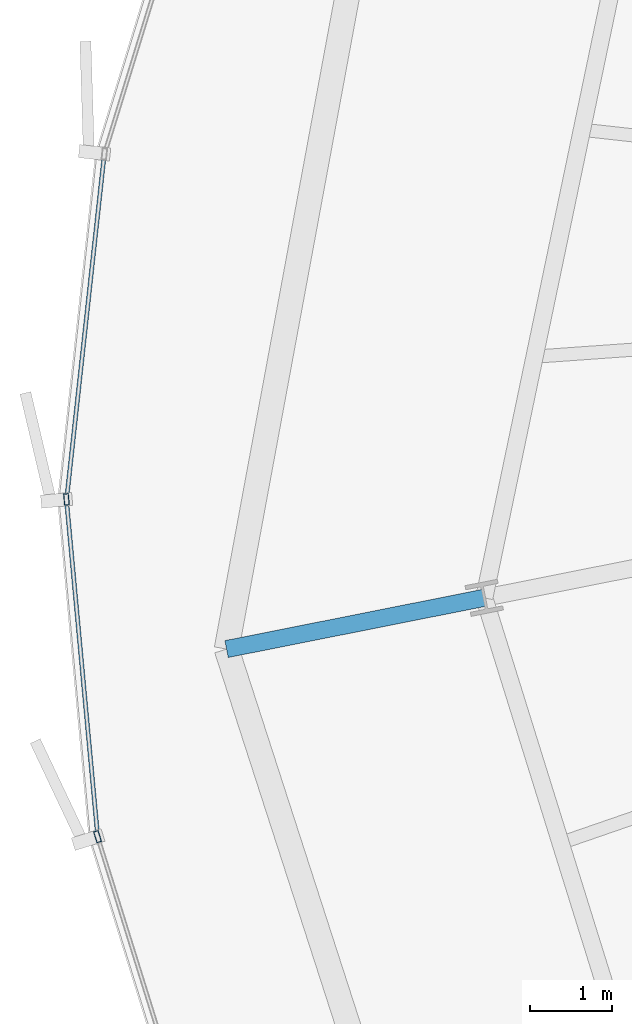
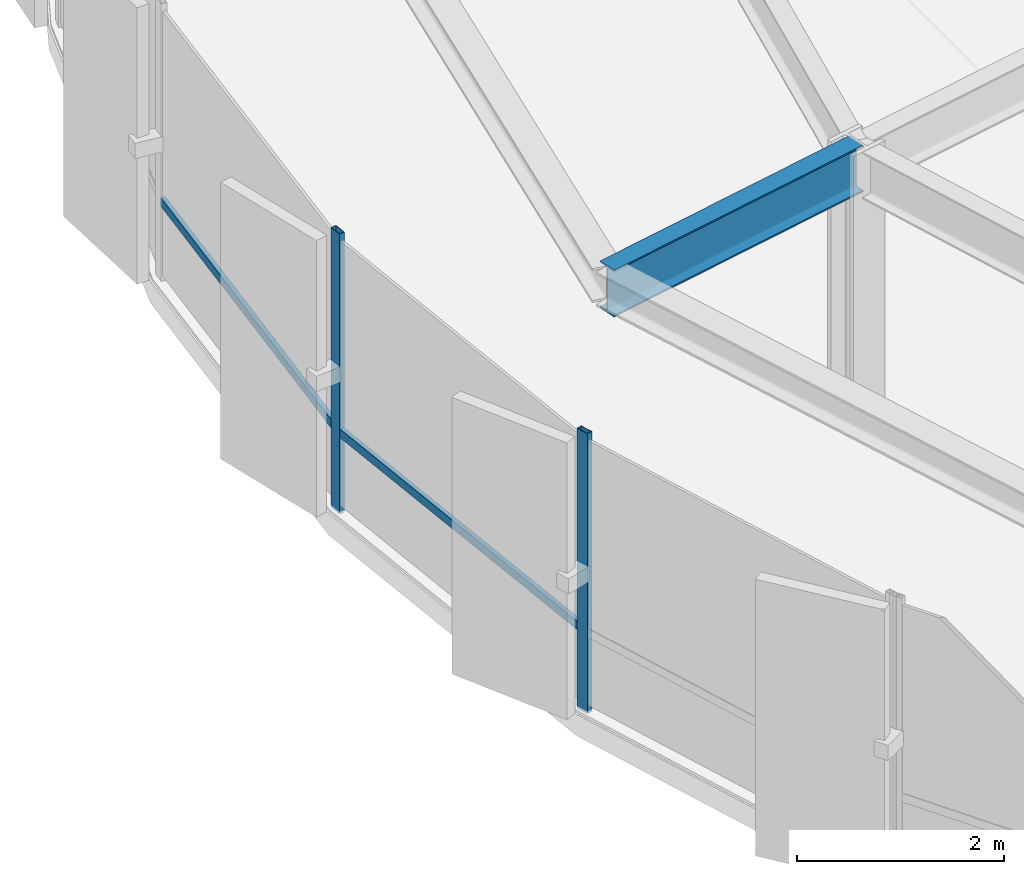
# One storey, part 7 of 34: 4 members, 1 beam, 1 element without a shape of its own.
"""IFC4 building model written with IfcOpenShell, lengths in metres."""

import ifcopenshell
import ifcopenshell.guid

model = None  # the IFC model being written
_history = None  # IfcOwnerHistory: only IFC2X3 demands one
_inside = {}  # id of a spatial element -> (the spatial element, [elements in it])
_under = {}  # id of a project, library or spatial element -> (it, [spatial elements below it])
_declared = {}  # id of a project -> (the project, [libraries it declares])
_typed = {}  # id of a type object -> (the type object, [elements of that type])
_made_of = {}  # id of a material, layer set ... -> (it, [elements and type objects made of it])


def new_model(schema):
    """Start an empty IFC model of exactly this schema.

    Asked for "IFC4X3", IfcOpenShell would pick the latest addendum, in which some entities
    have other attributes; the version numbers below select the first issue.
    IFC2X3 requires an IfcOwnerHistory on every rooted entity: one is made here for all.
    """
    global model, _history
    if schema == "IFC4X3":
        model = ifcopenshell.file(schema_version=(4, 3, 0, 0))
    else:
        model = ifcopenshell.file(schema=schema)
    _inside.clear()
    _under.clear()
    _declared.clear()
    _typed.clear()
    _made_of.clear()
    _history = None
    if model.schema == "IFC2X3":
        org = make("IfcOrganization", Name="unknown")
        user = make(
            "IfcPersonAndOrganization",
            ThePerson=make("IfcPerson", FamilyName="unknown"),
            TheOrganization=org,
        )
        app = make(
            "IfcApplication",
            ApplicationDeveloper=org,
            Version="unknown",
            ApplicationFullName="unknown",
            ApplicationIdentifier="unknown",
        )
        _history = make(
            "IfcOwnerHistory",
            OwningUser=user,
            OwningApplication=app,
            ChangeAction="ADDED",
            CreationDate=0,
        )
    return model


def make(cls, **values):
    """One entity of the class cls with the attributes given. An attribute that is None is left unset."""
    return model.create_entity(
        cls, **{name: value for name, value in values.items() if value is not None}
    )


def rooted(cls, **values):
    """An entity with a GlobalId (a new one), such as an element, a storey or a relation."""
    return make(cls, GlobalId=ifcopenshell.guid.new(), OwnerHistory=_history, **values)


def si_unit(unit_type, name, prefix=None):
    """IfcSIUnit, for example si_unit("LENGTHUNIT", "METRE", prefix="MILLI")."""
    return make("IfcSIUnit", UnitType=unit_type, Prefix=prefix, Name=name)


def assignment(units):
    """IfcUnitAssignment: the units of a project."""
    return None if units is None else make("IfcUnitAssignment", Units=units)


def point(xyz):
    """IfcCartesianPoint."""
    return None if xyz is None else make("IfcCartesianPoint", Coordinates=xyz)


def direction(xyz):
    """IfcDirection."""
    return None if xyz is None else make("IfcDirection", DirectionRatios=xyz)


def frame(location, z_axis=None, x_axis=None):
    """IfcAxis2Placement3D, a coordinate frame: its origin and axes. An axis left out is left unset."""
    return make(
        "IfcAxis2Placement3D",
        Location=point(location),
        Axis=direction(z_axis),
        RefDirection=direction(x_axis),
    )


def frame_2d(location, x_axis=None):
    """IfcAxis2Placement2D, a coordinate frame in the plane: its origin and x axis."""
    return make(
        "IfcAxis2Placement2D", Location=point(location), RefDirection=direction(x_axis)
    )


def origin():
    """The frame at (0, 0, 0) with its axes left unset."""
    return frame((0.0, 0.0, 0.0))


def origin_2d():
    """The frame at (0, 0) in the plane with its x axis left unset."""
    return frame_2d((0.0, 0.0))


def place(relative_to, where):
    """IfcLocalPlacement: puts the frame where relative to a parent placement (None: the world)."""
    return make(
        "IfcLocalPlacement", PlacementRelTo=relative_to, RelativePlacement=where
    )


def context(
    kind, dimensions, precision=None, world=None, true_north=None, identifier=None
):
    """IfcGeometricRepresentationContext, for example the 3D "Model" context."""
    return make(
        "IfcGeometricRepresentationContext",
        ContextIdentifier=identifier,
        ContextType=kind,
        CoordinateSpaceDimension=dimensions,
        Precision=precision,
        WorldCoordinateSystem=world,
        TrueNorth=true_north,
    )


def subcontext(parent, identifier, kind, view, scale=None):
    """IfcGeometricRepresentationSubContext, for example "Body" below "Model"."""
    return make(
        "IfcGeometricRepresentationSubContext",
        ContextIdentifier=identifier,
        ContextType=kind,
        ParentContext=parent,
        TargetScale=scale,
        TargetView=view,
    )


def project(units=None, contexts=None):
    """IfcProject with its units and contexts."""
    return rooted(
        "IfcProject",
        Name="project",
        RepresentationContexts=contexts,
        UnitsInContext=assignment(units),
    )


def spatial(cls, under=None, at=None, **own):
    """A site, building, storey or space (cls), placed at a placement, below another one or the project."""
    s = rooted(cls, ObjectPlacement=at, **own)
    if under is not None:
        _under.setdefault(under.id(), (under, []))[1].append(s)
    return s


def profile(cls, at=None, kind="AREA", **sizes):
    """A parametric profile (cls). Its sizes go by their IFC names, for example OverallWidth=200.0."""
    return make(cls, ProfileType=kind, Position=at, **sizes)


def hollow_rectangle(**sizes):
    """IfcRectangleHollowProfileDef."""
    return profile("IfcRectangleHollowProfileDef", **sizes)


def i_section(**sizes):
    """IfcIShapeProfileDef."""
    return profile("IfcIShapeProfileDef", **sizes)


def extrude(swept, where, along, depth):
    """IfcExtrudedAreaSolid: the profile swept, set in the frame where, extruded along a direction by depth."""
    return make(
        "IfcExtrudedAreaSolid",
        SweptArea=swept,
        Position=where,
        ExtrudedDirection=direction(along),
        Depth=depth,
    )


def shape(context_of_items, identifier, shape_type, items):
    """IfcShapeRepresentation: the items that make up one representation, for example the "Body"."""
    return make(
        "IfcShapeRepresentation",
        ContextOfItems=context_of_items,
        RepresentationIdentifier=identifier,
        RepresentationType=shape_type,
        Items=items,
    )


def source(mapping_origin, context_of_items, identifier, shape_type, items):
    """IfcRepresentationMap: a shape defined once, which mapped items show again and again."""
    return make(
        "IfcRepresentationMap",
        MappingOrigin=mapping_origin,
        MappedRepresentation=shape(context_of_items, identifier, shape_type, items),
    )


def transform(
    local_origin,
    x_axis=None,
    y_axis=None,
    z_axis=None,
    scale=None,
    scale2=None,
    scale3=None,
    uniform=True,
):
    """IfcCartesianTransformationOperator3D, or its non-uniform kind. x_axis, y_axis, z_axis: its Axis1, 2, 3."""
    if uniform:
        return make(
            "IfcCartesianTransformationOperator3D",
            Axis1=direction(x_axis),
            Axis2=direction(y_axis),
            LocalOrigin=point(local_origin),
            Scale=scale,
            Axis3=direction(z_axis),
        )
    return make(
        "IfcCartesianTransformationOperator3DnonUniform",
        Axis1=direction(x_axis),
        Axis2=direction(y_axis),
        LocalOrigin=point(local_origin),
        Scale=scale,
        Axis3=direction(z_axis),
        Scale2=scale2,
        Scale3=scale3,
    )


def mapped(mapping_source, mapping_target):
    """IfcMappedItem: shows the shape of a source again, moved by a transform."""
    return make(
        "IfcMappedItem", MappingSource=mapping_source, MappingTarget=mapping_target
    )


def material(Name=None, Category=None):
    """IfcMaterial."""
    return make("IfcMaterial", Name=Name, Category=Category)


def layer(
    of_material, thickness, ventilated=None, Name=None, Category=None, Priority=None
):
    """IfcMaterialLayer: one layer of a wall or slab, of a material (None: an air gap)."""
    return make(
        "IfcMaterialLayer",
        Material=of_material,
        LayerThickness=thickness,
        IsVentilated=ventilated,
        Name=Name,
        Category=Category,
        Priority=Priority,
    )


def layer_set(layers, Name=None):
    """IfcMaterialLayerSet."""
    return make("IfcMaterialLayerSet", MaterialLayers=layers, LayerSetName=Name)


def material_profile(
    of_material, cross_section, Name=None, Category=None, Priority=None
):
    """IfcMaterialProfile: a cross section and its material."""
    return make(
        "IfcMaterialProfile",
        Name=Name,
        Material=of_material,
        Profile=cross_section,
        Priority=Priority,
        Category=Category,
    )


def profile_set(profiles, Name=None, composite=None):
    """IfcMaterialProfileSet."""
    return make(
        "IfcMaterialProfileSet",
        Name=Name,
        MaterialProfiles=profiles,
        CompositeProfile=composite,
    )


def made_of(thing, what):
    """Note that an element or type object is made of a material, layer set ...; save() writes the relation."""
    if what is not None:
        _made_of.setdefault(what.id(), (what, []))[1].append(thing)
    return thing


def type_object(cls, material=None, **own):
    """A type object (cls), such as IfcWallType, which elements share."""
    return made_of(rooted(cls, **own), material)


def element(
    cls,
    number,
    at=None,
    inside=None,
    cuts=None,
    type_object=None,
    material=None,
    context=None,
    identifier="Body",
    shape_type=None,
    held_by="IfcProductDefinitionShape",
    body=None,
    shapes=None,
    **own,
):
    """One element of the class cls, such as IfcWall. Its Tag is "e" and its number.

    at: its placement. inside: the storey or other place that contains it. cuts: it is an
    opening in that element (IfcRelVoidsElement). A single representation is given by context,
    identifier, shape_type and body (its items); several are given by shapes. held_by: the class
    of the entity that holds the representations. save() writes the other relations.
    """
    e = rooted(cls, Tag="e%d" % number, ObjectPlacement=at, **own)
    if body is not None:
        shapes = [shape(context, identifier, shape_type, body)]
    if shapes is not None:
        e.Representation = make(held_by, Representations=shapes)
    if inside is not None:
        _inside.setdefault(inside.id(), (inside, []))[1].append(e)
    if cuts is not None:
        rooted(
            "IfcRelVoidsElement", RelatingBuildingElement=cuts, RelatedOpeningElement=e
        )
    if type_object is not None:
        _typed.setdefault(type_object.id(), (type_object, []))[1].append(e)
    return made_of(e, material)


def aggregate(whole, parts):
    """IfcRelAggregates: a whole, such as a stair, and the parts it consists of."""
    return rooted("IfcRelAggregates", RelatingObject=whole, RelatedObjects=parts)


def save(model, path):
    """Write the relations noted so far, then the file.

    IfcRelAggregates (storeys below a building ...), IfcRelContainedInSpatialStructure (elements
    in a storey), IfcRelDefinesByType, IfcRelAssociatesMaterial and IfcRelDeclares: one each for
    every whole, place, type object, material and project.
    """
    for whole, parts in _under.values():
        aggregate(whole, parts)
    for where, things in _inside.values():
        rooted(
            "IfcRelContainedInSpatialStructure",
            RelatedElements=things,
            RelatingStructure=where,
        )
    for kind, things in _typed.values():
        rooted("IfcRelDefinesByType", RelatedObjects=things, RelatingType=kind)
    for what, things in _made_of.values():
        rooted("IfcRelAssociatesMaterial", RelatedObjects=things, RelatingMaterial=what)
    for by, libraries in _declared.values():
        rooted("IfcRelDeclares", RelatingContext=by, RelatedDefinitions=libraries)
    model.write(path)


model = new_model("IFC4")

# Units and contexts
model_context = context("Model", 3, precision=1e-05, world=origin(), true_north=direction((0.0, 1.0)))
body_context = subcontext(model_context, "Body", "Model", "MODEL_VIEW")
ifc_project = project(units=[si_unit("LENGTHUNIT", "METRE"), si_unit("AREAUNIT", "SQUARE_METRE"), si_unit("VOLUMEUNIT", "CUBIC_METRE"), si_unit("PLANEANGLEUNIT", "RADIAN"), si_unit("MASSUNIT", "GRAM", prefix="KILO"), si_unit("THERMODYNAMICTEMPERATUREUNIT", "KELVIN")], contexts=[model_context])

# Site, building, storey
site_placement = place(None, origin())
site = spatial("IfcSite", under=ifc_project, at=site_placement, CompositionType="ELEMENT")
building_placement = place(site_placement, origin())
building = spatial("IfcBuilding", under=site, at=building_placement, Name="Kethvar Cultural Tower", CompositionType="ELEMENT")
storey_placement = place(building_placement, frame((0.0, 0.0, 128.800048828125)))
storey = spatial("IfcBuildingStorey", under=building, at=storey_placement, Name="L32", CompositionType="ELEMENT", Elevation=128.800048828125)

# Beam
ifc_material_1 = material(Name="Steel S355J2", Category="steel")
ifc_material_profile_1 = material_profile(ifc_material_1, i_section(OverallWidth=0.2099609375, OverallDepth=0.550048828125, WebThickness=0.010986328125, FlangeThickness=0.01708984375, FilletRadius=0.02392578125, at=origin_2d()), Name="Steel S355J2 — IPE550")
ifc_profile_set_1 = profile_set([ifc_material_profile_1], Name="Steel S355J2 — IPE550")
beam_type = type_object("IfcBeamType", Name="BM-IPE550", PredefinedType="BEAM", material=ifc_profile_set_1)
shared_shape_1 = source(origin(), body_context, "Body", "SweptSolid", [
    extrude(i_section(OverallWidth=0.2099609375, OverallDepth=0.550048828125, WebThickness=0.010986328125, FlangeThickness=0.01708984375, FilletRadius=0.02392578125, at=origin_2d()), origin(), (0.0, 0.0, 1.0), 3.199951171875),
])
beam_placement = place(storey_placement, frame((24.185302734375, 23.3017578125, 3.02294921875), z_axis=(-0.980785550224, -0.195088965533, 0.0), x_axis=(0.195088965533, -0.980785550224, 0.0)))
element("IfcBeam", 1, at=beam_placement, inside=storey, type_object=beam_type, Name="L32 Perimeter Cantilever Beam RC-09", PredefinedType="BEAM", context=body_context, shape_type="MappedRepresentation", body=[
    mapped(shared_shape_1, transform((0.0, 0.0, 0.0), scale=1.0)),
])

# Curtain wall, members
ifc_material_2 = material(Name="Aluminium 6063-T6", Category="aluminium")
ifc_layer = layer(ifc_material_2, 0.179931640625, Name="Aluminium 6063-T6", Category="aluminium")
ifc_layer_set = layer_set([ifc_layer], Name="Aluminium 6063-T6 (180 mm)")
curtain_wall_type = type_object("IfcCurtainWallType", Name="CW-SYS-04-Z34", PredefinedType="NOTDEFINED", material=ifc_layer_set)
curtain_wall_placement = place(storey_placement, origin())
curtain_wall = element("IfcCurtainWall", 2, at=curtain_wall_placement, inside=storey, type_object=curtain_wall_type, Name="L32 Curtain Wall Run 03", PredefinedType="NOTDEFINED")
ifc_material_profile_2 = material_profile(ifc_material_2, hollow_rectangle(XDim=0.06005859375, YDim=0.139892578125, WallThickness=0.0048828125, at=origin_2d()), Name="Aluminium 6063-T6 — RHS140x60x5")
ifc_profile_set_2 = profile_set([ifc_material_profile_2], Name="Aluminium 6063-T6 — RHS140x60x5")
member_type_1 = type_object("IfcMemberType", Name="CW-SYS-04-Z34-MUL", PredefinedType="MULLION", material=ifc_profile_set_2)
shared_shape_2 = source(origin(), body_context, "Body", "SweptSolid", [
    extrude(hollow_rectangle(XDim=0.06005859375, YDim=0.139892578125, WallThickness=0.0048828125, at=origin_2d()), origin(), (0.0, 0.0, 1.0), 3.300048828125),
])
member_1_placement = place(storey_placement, frame((19.09716796875, 24.50048828125, 0.0), z_axis=(0.0, 0.0, 1.0), x_axis=(0.995724698185, 0.092370587447, 0.0)))
member_1 = element("IfcMember", 3, at=member_1_placement, type_object=member_type_1, Name="CW-L32-R03 Mullion 5", PredefinedType="MULLION", context=body_context, shape_type="MappedRepresentation", body=[
    mapped(shared_shape_2, transform((0.0, 0.0, 0.0), scale=1.0)),
])
member_2_placement = place(storey_placement, frame((19.4755859375, 20.393310546875, 0.0), z_axis=(0.0, 0.0, 1.0), x_axis=(0.954719268831, 0.297508180935, 0.0)))
member_2 = element("IfcMember", 4, at=member_2_placement, type_object=member_type_1, Name="CW-L32-R03 Mullion 6", PredefinedType="MULLION", context=body_context, shape_type="MappedRepresentation", body=[
    mapped(shared_shape_2, transform((0.0, 0.0, 0.0), scale=1.0)),
])
ifc_material_profile_3 = material_profile(ifc_material_2, hollow_rectangle(XDim=0.050048828125, YDim=0.10009765625, WallThickness=0.00390625, at=origin_2d()), Name="Aluminium 6063-T6 — RHS100x50x4")
ifc_profile_set_3 = profile_set([ifc_material_profile_3], Name="Aluminium 6063-T6 — RHS100x50x4")
member_type_2 = type_object("IfcMemberType", Name="CW-SYS-04-Z34-TRN", PredefinedType="USERDEFINED", material=ifc_profile_set_3)
shared_shape_3 = source(origin(), body_context, "Body", "SweptSolid", [
    extrude(hollow_rectangle(XDim=0.050048828125, YDim=0.10009765625, WallThickness=0.00390625, at=origin_2d()), origin(), (0.0, 0.0, 1.0), 4.169189453125),
])
member_3_placement = place(storey_placement, frame((19.55419921875, 28.665771484375, 0.949951171875), z_axis=(-0.1085674577, -0.994089084101, 0.0), x_axis=(0.994089084101, -0.1085674577, 0.0)))
member_3 = element("IfcMember", 5, at=member_3_placement, type_object=member_type_2, Name="CW-L32-R03 Transom 4", ObjectType="TRANSOM", PredefinedType="USERDEFINED", context=body_context, shape_type="MappedRepresentation", body=[
    mapped(shared_shape_3, transform((0.0, 0.0, 0.0), scale=1.0)),
])
shared_shape_4 = source(origin(), body_context, "Body", "SweptSolid", [
    extrude(hollow_rectangle(XDim=0.050048828125, YDim=0.10009765625, WallThickness=0.00390625, at=origin_2d()), origin(), (0.0, 0.0, 1.0), 4.06103515625),
])
member_4_placement = place(storey_placement, frame((19.10107421875, 24.45751953125, 0.949951171875), z_axis=(0.092400207517, -0.995721949969, 0.0), x_axis=(0.995721949969, 0.092400207517, 0.0)))
member_4 = element("IfcMember", 6, at=member_4_placement, type_object=member_type_2, Name="CW-L32-R03 Transom 5", ObjectType="TRANSOM", PredefinedType="USERDEFINED", context=body_context, shape_type="MappedRepresentation", body=[
    mapped(shared_shape_4, transform((0.0, 0.0, 0.0), scale=1.0)),
])
aggregate(curtain_wall, [member_1, member_2, member_3, member_4])

save(model, "model.ifc")
